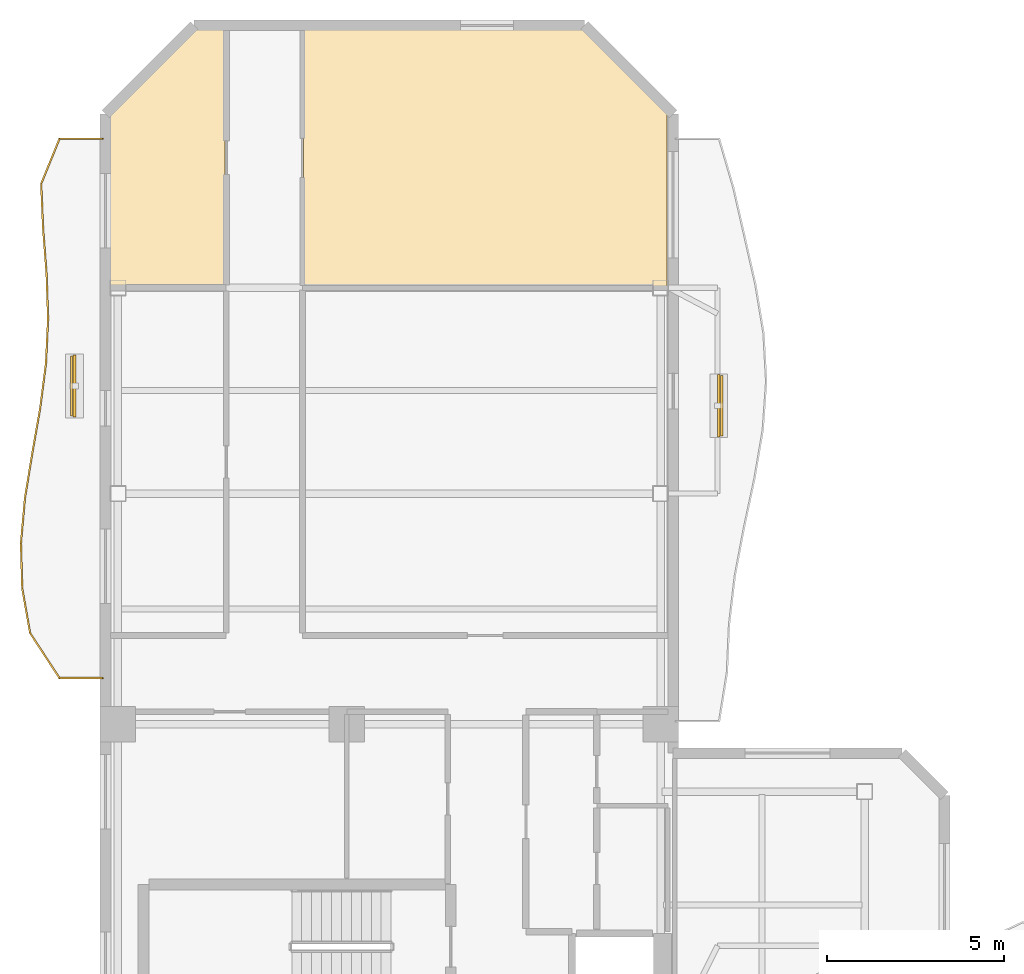
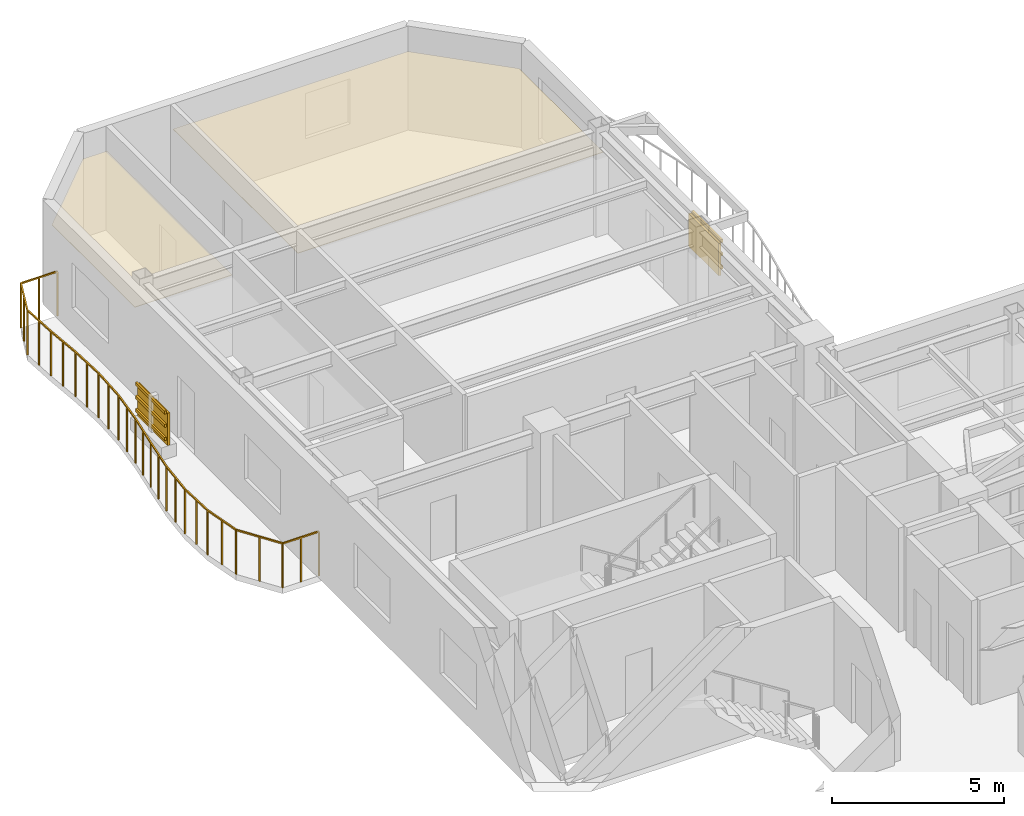
# One storey, part 9 of 9: 8 shading devices, 2 coverings, 1 railing.
"""IFC4 building model written with IfcOpenShell, lengths in metres."""

from ifc_helpers import new_model, si_unit, direction, frame, origin, origin_2d, place, context, subcontext, project, spatial, polyline, rectangle, outline, extrude, material, layer, layer_set, material_profile, profile_set, type_object, element, save


model = new_model("IFC4")

# Units and contexts
model_context = context("Model", 3, precision=1e-05, world=origin(), true_north=direction((0.0, 1.0)))
body_context = subcontext(model_context, "Body", "Model", "MODEL_VIEW")
ifc_project = project(units=[si_unit("LENGTHUNIT", "METRE"), si_unit("AREAUNIT", "SQUARE_METRE"), si_unit("VOLUMEUNIT", "CUBIC_METRE"), si_unit("PLANEANGLEUNIT", "RADIAN"), si_unit("MASSUNIT", "GRAM", prefix="KILO")], contexts=[model_context])

# Site, building, storey
site_placement = place(None, origin())
site = spatial("IfcSite", under=ifc_project, at=site_placement, CompositionType="ELEMENT")
building_placement = place(site_placement, origin())
building = spatial("IfcBuilding", under=site, at=building_placement, Name="Mawjaban Terraces University", CompositionType="ELEMENT")
storey_placement = place(building_placement, frame((0.0, 0.0, 210.89990234375)))
storey = spatial("IfcBuildingStorey", under=building, at=storey_placement, Name="L51", CompositionType="ELEMENT", Elevation=210.89990234375)

# Coverings
ifc_material_1 = material(Name="Acoustic mineral fibre ceiling tile", Category="masonry")
ifc_layer_1 = layer(ifc_material_1, 0.02001953125)
ifc_layer_set_1 = layer_set([ifc_layer_1], Name="Acoustic mineral fibre ceiling tile")
covering_type = type_object("IfcCoveringType", Name="AcousticMineralCeiling_20", PredefinedType="CEILING", material=ifc_layer_set_1)
covering_1_placement = place(storey_placement, frame((0.0, 0.0, 2.75)))
element("IfcCovering", 1, at=covering_1_placement, inside=storey, type_object=covering_type, Name="L51 Design Studio 14 Acoustic Ceiling", PredefinedType="CEILING", context=body_context, shape_type="SweptSolid", body=[
    extrude(outline(polyline([(25.3701171875, 43.0849609375), (24.547119140625, 43.0849609375), (22.114990234375, 40.653076171875), (22.114990234375, 35.830078125), (25.3701171875, 35.830078125), (25.3701171875, 43.0849609375)])), origin(), (0.0, 0.0, 1.0), 0.02001953125),
])
covering_2_placement = place(storey_placement, frame((0.0, 0.0, 2.75)))
element("IfcCovering", 2, at=covering_2_placement, inside=storey, type_object=covering_type, Name="L51 Computational Laboratory 15 Acoustic Ceiling", PredefinedType="CEILING", context=body_context, shape_type="SweptSolid", body=[
    extrude(outline(polyline([(37.820068359375, 40.718017578125), (35.452880859375, 43.0849609375), (27.580078125, 43.0849609375), (27.580078125, 35.830078125), (37.820068359375, 35.830078125), (37.820068359375, 40.718017578125)])), origin(), (0.0, 0.0, 1.0), 0.02001953125),
])

# Railing
ifc_material_2 = material(Name="Galvanised powder-coated steel S355", Category="steel")
railing_type = type_object("IfcRailingType", Name="BalconyBalustrade_1600", PredefinedType="BALUSTRADE", material=ifc_material_2)
railing_placement = place(storey_placement, frame((21.919921875, 24.800048828125, 0.0)))
element("IfcRailing", 3, at=railing_placement, inside=storey, type_object=railing_type, Name="L51 Balcony Guardrail west", PredefinedType="BALUSTRADE", context=body_context, shape_type="SweptSolid", body=[
    extrude(rectangle(XDim=0.048095703125, YDim=0.048095703125, at=origin_2d()), frame((0.0, 0.0, 1.576171875), z_axis=(-1.0, 0.0, 0.0), x_axis=(0.0, -1.0, 0.0)), (0.0, 0.0, 1.0), 1.219970703125),
    extrude(rectangle(XDim=0.048095703125, YDim=0.048095703125, at=origin_2d()), frame((-1.219970703125, 0.0, 1.576171875), z_axis=(-0.5470450604, 0.837103160842, 0.0), x_axis=(-0.837103160842, -0.5470450604, 0.0)), (0.0, 0.0, 1.0), 1.513427734375),
    extrude(rectangle(XDim=0.048095703125, YDim=0.048095703125, at=origin_2d()), frame((-2.0478515625, 1.266845703125, 1.576171875), z_axis=(-0.173568665192, 0.984821769897, 0.0), x_axis=(-0.984821769897, -0.173568665192, 0.0)), (0.0, 0.0, 1.0), 1.28564453125),
    extrude(rectangle(XDim=0.048095703125, YDim=0.048095703125, at=origin_2d()), frame((-2.27099609375, 2.532958984375, 1.576171875), z_axis=(-0.029082106154, 0.999577026097, 0.0), x_axis=(-0.999577026097, -0.029082106154, 0.0)), (0.0, 0.0, 1.0), 1.267578125),
    extrude(rectangle(XDim=0.048095703125, YDim=0.048095703125, at=origin_2d()), frame((-2.307861328125, 3.800048828125, 1.576171875), z_axis=(0.088874127313, 0.99604286529, 0.0), x_axis=(-0.99604286529, 0.088874127313, 0.0)), (0.0, 0.0, 1.0), 1.27197265625),
    extrude(rectangle(XDim=0.048095703125, YDim=0.048095703125, at=origin_2d()), frame((-2.19482421875, 5.06689453125, 1.576171875), z_axis=(0.161188642831, 0.986923614786, 0.0), x_axis=(-0.986923614786, 0.161188642831, 0.0)), (0.0, 0.0, 1.0), 1.282958984375),
    extrude(rectangle(XDim=0.048095703125, YDim=0.048095703125, at=origin_2d()), frame((-1.988037109375, 6.3330078125, 1.576171875), z_axis=(0.172734863386, 0.98496835836, 0.0), x_axis=(-0.98496835836, 0.172734863386, 0.0)), (0.0, 0.0, 1.0), 1.2861328125),
    extrude(rectangle(XDim=0.048095703125, YDim=0.048095703125, at=origin_2d()), frame((-1.765869140625, 7.599853515625, 1.576171875), z_axis=(0.128407863151, 0.991721443088, 0.0), x_axis=(-0.991721443088, 0.128407863151, 0.0)), (0.0, 0.0, 1.0), 1.277587890625),
    extrude(rectangle(XDim=0.048095703125, YDim=0.048095703125, at=origin_2d()), frame((-1.601806640625, 8.866943359375, 1.576171875), z_axis=(0.047189944818, 0.998885933982, 0.0), x_axis=(-0.998885933982, 0.047189944818, 0.0)), (0.0, 0.0, 1.0), 1.267578125),
    extrude(rectangle(XDim=0.048095703125, YDim=0.048095703125, at=origin_2d()), frame((-1.5419921875, 10.133056640625, 1.576171875), z_axis=(-0.033898410087, 0.999425283747, 0.0), x_axis=(-0.999425283747, -0.033898410087, 0.0)), (0.0, 0.0, 1.0), 1.267578125),
    extrude(rectangle(XDim=0.048095703125, YDim=0.048095703125, at=origin_2d()), frame((-1.5849609375, 11.39990234375, 1.576171875), z_axis=(-0.077034374457, 0.997028437484, 0.0), x_axis=(-0.997028437484, -0.077034374457, 0.0)), (0.0, 0.0, 1.0), 1.270751953125),
    extrude(rectangle(XDim=0.048095703125, YDim=0.048095703125, at=origin_2d()), frame((-1.682861328125, 12.6669921875, 1.576171875), z_axis=(-0.042584286596, 0.999092877832, 0.0), x_axis=(-0.999092877832, -0.042584286596, 0.0)), (0.0, 0.0, 1.0), 1.26708984375),
    extrude(rectangle(XDim=0.048095703125, YDim=0.048095703125, at=origin_2d()), frame((-1.73681640625, 13.932861328125, 1.576171875), z_axis=(0.377687880117, 0.925932970151, 0.0), x_axis=(-0.925932970151, 0.377687880117, 0.0)), (0.0, 0.0, 1.0), 1.368408203125),
    extrude(rectangle(XDim=0.048095703125, YDim=0.048095703125, at=origin_2d()), frame((-1.219970703125, 15.199951171875, 1.576171875), z_axis=(1.0, 0.0, 0.0), x_axis=(0.0, 1.0, 0.0)), (0.0, 0.0, 1.0), 1.219970703125),
    extrude(rectangle(XDim=0.0419921875, YDim=0.0419921875, at=origin_2d()), origin(), (0.0, 0.0, 1.0), 1.552001953125),
    extrude(rectangle(XDim=0.0419921875, YDim=0.0419921875, at=origin_2d()), frame((-0.60986328125, 0.0, 0.0)), (0.0, 0.0, 1.0), 1.552001953125),
    extrude(rectangle(XDim=0.0419921875, YDim=0.0419921875, at=origin_2d()), frame((-1.219970703125, 0.0, 0.0)), (0.0, 0.0, 1.0), 1.552001953125),
    extrude(rectangle(XDim=0.0419921875, YDim=0.0419921875, at=origin_2d()), frame((-1.6337890625, 0.63330078125, 0.0)), (0.0, 0.0, 1.0), 1.552001953125),
    extrude(rectangle(XDim=0.0419921875, YDim=0.0419921875, at=origin_2d()), frame((-2.0478515625, 1.266845703125, 0.0)), (0.0, 0.0, 1.0), 1.552001953125),
    extrude(rectangle(XDim=0.0419921875, YDim=0.0419921875, at=origin_2d()), frame((-2.159423828125, 1.89990234375, 0.0)), (0.0, 0.0, 1.0), 1.552001953125),
    extrude(rectangle(XDim=0.0419921875, YDim=0.0419921875, at=origin_2d()), frame((-2.27099609375, 2.532958984375, 0.0)), (0.0, 0.0, 1.0), 1.552001953125),
    extrude(rectangle(XDim=0.0419921875, YDim=0.0419921875, at=origin_2d()), frame((-2.28955078125, 3.16650390625, 0.0)), (0.0, 0.0, 1.0), 1.552001953125),
    extrude(rectangle(XDim=0.0419921875, YDim=0.0419921875, at=origin_2d()), frame((-2.307861328125, 3.800048828125, 0.0)), (0.0, 0.0, 1.0), 1.552001953125),
    extrude(rectangle(XDim=0.0419921875, YDim=0.0419921875, at=origin_2d()), frame((-2.25146484375, 4.43359375, 0.0)), (0.0, 0.0, 1.0), 1.552001953125),
    extrude(rectangle(XDim=0.0419921875, YDim=0.0419921875, at=origin_2d()), frame((-2.19482421875, 5.06689453125, 0.0)), (0.0, 0.0, 1.0), 1.552001953125),
    extrude(rectangle(XDim=0.0419921875, YDim=0.0419921875, at=origin_2d()), frame((-2.09130859375, 5.699951171875, 0.0)), (0.0, 0.0, 1.0), 1.552001953125),
    extrude(rectangle(XDim=0.0419921875, YDim=0.0419921875, at=origin_2d()), frame((-1.988037109375, 6.3330078125, 0.0)), (0.0, 0.0, 1.0), 1.552001953125),
    extrude(rectangle(XDim=0.0419921875, YDim=0.0419921875, at=origin_2d()), frame((-1.876953125, 6.96630859375, 0.0)), (0.0, 0.0, 1.0), 1.552001953125),
    extrude(rectangle(XDim=0.0419921875, YDim=0.0419921875, at=origin_2d()), frame((-1.765869140625, 7.599853515625, 0.0)), (0.0, 0.0, 1.0), 1.552001953125),
    extrude(rectangle(XDim=0.0419921875, YDim=0.0419921875, at=origin_2d()), frame((-1.683837890625, 8.2333984375, 0.0)), (0.0, 0.0, 1.0), 1.552001953125),
    extrude(rectangle(XDim=0.0419921875, YDim=0.0419921875, at=origin_2d()), frame((-1.601806640625, 8.866943359375, 0.0)), (0.0, 0.0, 1.0), 1.552001953125),
    extrude(rectangle(XDim=0.0419921875, YDim=0.0419921875, at=origin_2d()), frame((-1.57177734375, 9.5, 0.0)), (0.0, 0.0, 1.0), 1.552001953125),
    extrude(rectangle(XDim=0.0419921875, YDim=0.0419921875, at=origin_2d()), frame((-1.5419921875, 10.133056640625, 0.0)), (0.0, 0.0, 1.0), 1.552001953125),
    extrude(rectangle(XDim=0.0419921875, YDim=0.0419921875, at=origin_2d()), frame((-1.5634765625, 10.7666015625, 0.0)), (0.0, 0.0, 1.0), 1.552001953125),
    extrude(rectangle(XDim=0.0419921875, YDim=0.0419921875, at=origin_2d()), frame((-1.5849609375, 11.39990234375, 0.0)), (0.0, 0.0, 1.0), 1.552001953125),
    extrude(rectangle(XDim=0.0419921875, YDim=0.0419921875, at=origin_2d()), frame((-1.6337890625, 12.033447265625, 0.0)), (0.0, 0.0, 1.0), 1.552001953125),
    extrude(rectangle(XDim=0.0419921875, YDim=0.0419921875, at=origin_2d()), frame((-1.682861328125, 12.6669921875, 0.0)), (0.0, 0.0, 1.0), 1.552001953125),
    extrude(rectangle(XDim=0.0419921875, YDim=0.0419921875, at=origin_2d()), frame((-1.7099609375, 13.2998046875, 0.0)), (0.0, 0.0, 1.0), 1.552001953125),
    extrude(rectangle(XDim=0.0419921875, YDim=0.0419921875, at=origin_2d()), frame((-1.73681640625, 13.932861328125, 0.0)), (0.0, 0.0, 1.0), 1.552001953125),
    extrude(rectangle(XDim=0.0419921875, YDim=0.0419921875, at=origin_2d()), frame((-1.478515625, 14.56640625, 0.0)), (0.0, 0.0, 1.0), 1.552001953125),
    extrude(rectangle(XDim=0.0419921875, YDim=0.0419921875, at=origin_2d()), frame((-1.219970703125, 15.199951171875, 0.0)), (0.0, 0.0, 1.0), 1.552001953125),
    extrude(rectangle(XDim=0.0419921875, YDim=0.0419921875, at=origin_2d()), frame((-0.60986328125, 15.199951171875, 0.0)), (0.0, 0.0, 1.0), 1.552001953125),
    extrude(rectangle(XDim=0.0419921875, YDim=0.0419921875, at=origin_2d()), frame((0.0, 15.199951171875, 0.0)), (0.0, 0.0, 1.0), 1.552001953125),
])

# Shading devices
ifc_material_3 = material(Name="Glazed architectural terracotta ceramic", Category="masonry")
ifc_material_profile = material_profile(ifc_material_3, rectangle(XDim=0.06494140625, YDim=0.110107421875, at=origin_2d()), Name="TBAG110X65")
ifc_profile_set = profile_set([ifc_material_profile], Name="Glazed architectural terracotta ceramic")
shading_device_type_1 = type_object("IfcShadingDeviceType", Name="TerracottaBaguette_110x65", PredefinedType="USERDEFINED", material=ifc_profile_set)
for number, where, z_axis, x_axis, name in (
    (4, (21.0380859375, 32.18408203125, 0.68017578125), (0.0, 1.0, 0.0), (-1.0, 0.0, 0.0), "L51 Horizontal Terracotta Baguette west.1"),
    (5, (21.0380859375, 32.18408203125, 1.150146484375), (0.0, 1.0, 0.0), (-1.0, 0.0, 0.0), "L51 Horizontal Terracotta Baguette west.2"),
    (6, (21.0380859375, 32.18408203125, 1.6201171875), (0.0, 1.0, 0.0), (-1.0, 0.0, 0.0), "L51 Horizontal Terracotta Baguette west.3"),
    (7, (39.368896484375, 31.625, 0.68017578125), (0.0, 1.0, 0.0), (-1.0, 0.0, 0.0), "L51 Horizontal Terracotta Baguette inner_east.1"),
    (8, (39.368896484375, 31.625, 1.150146484375), (0.0, 1.0, 0.0), (-1.0, 0.0, 0.0), "L51 Horizontal Terracotta Baguette inner_east.2"),
    (9, (39.368896484375, 31.625, 1.6201171875), (0.0, 1.0, 0.0), (-1.0, 0.0, 0.0), "L51 Horizontal Terracotta Baguette inner_east.3"),
):
    element("IfcShadingDevice", number, at=place(storey_placement, frame(where, z_axis=z_axis, x_axis=x_axis)), inside=storey, type_object=shading_device_type_1, Name=name, ObjectType="BAGUETTE", PredefinedType="USERDEFINED", context=body_context, shape_type="SweptSolid", body=[
        extrude(rectangle(XDim=0.06494140625, YDim=0.110107421875, at=origin_2d()), origin(), (0.0, 0.0, 1.0), 1.699951171875),
    ])
ifc_layer_2 = layer(ifc_material_3, 0.080078125)
ifc_layer_set_2 = layer_set([ifc_layer_2], Name="Glazed architectural terracotta ceramic")
shading_device_type_2 = type_object("IfcShadingDeviceType", Name="TerracottaScreen_Perforated", PredefinedType="USERDEFINED", material=ifc_layer_set_2)
for number, where, z_axis, x_axis, name in (
    (10, (21.123046875, 33.033935546875, 0.440185546875), (0.0, 0.0, 1.0), (0.0, 1.0, 0.0), "L51 Balcony Perforated Terracotta Screen west"),
    (11, (39.283935546875, 32.47509765625, 0.440185546875), (0.0, 0.0, 1.0), (0.0, 1.0, 0.0), "L51 Balcony Perforated Terracotta Screen inner_east"),
):
    element("IfcShadingDevice", number, at=place(storey_placement, frame(where, z_axis=z_axis, x_axis=x_axis)), inside=storey, type_object=shading_device_type_2, Name=name, ObjectType="SCREEN", PredefinedType="USERDEFINED", context=body_context, shape_type="SweptSolid", body=[
        extrude(rectangle(XDim=1.75, YDim=0.080078125, at=origin_2d()), origin(), (0.0, 0.0, 1.0), 1.14990234375),
    ])

save(model, "model.ifc")
